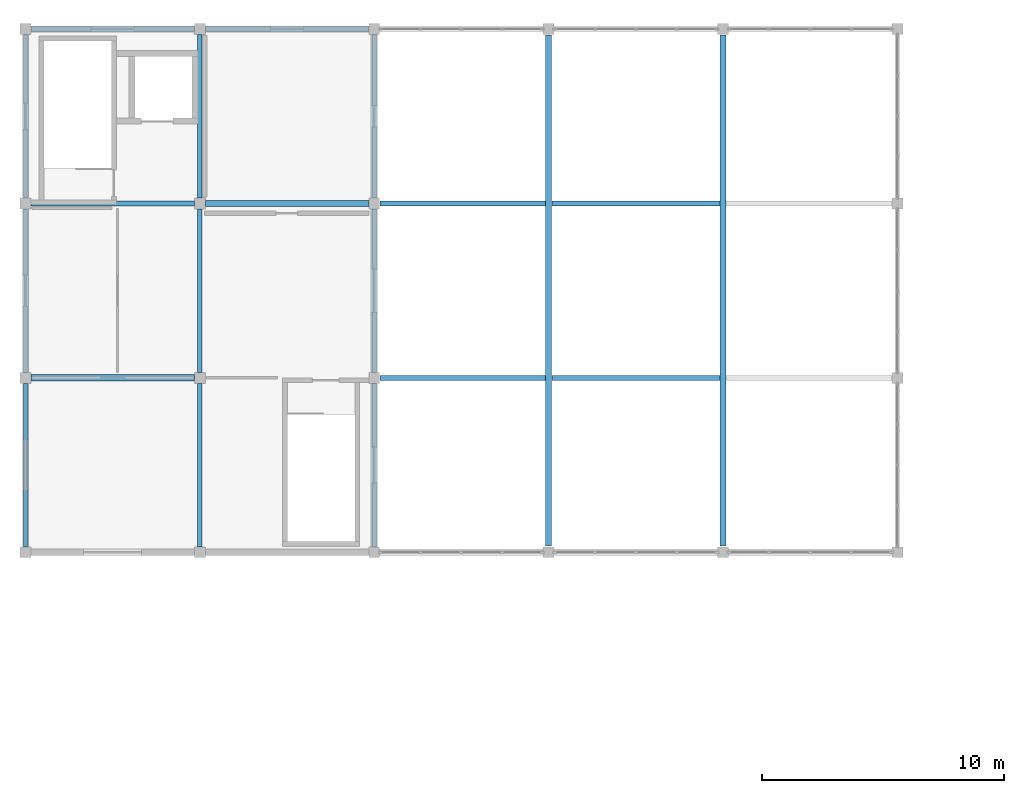
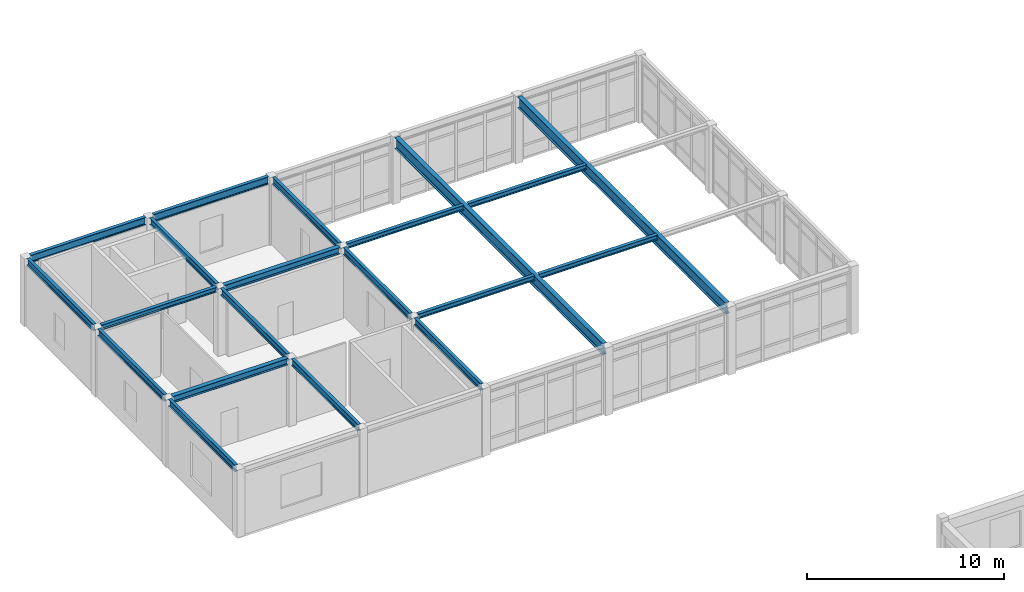
# One storey, part 44 of 136: 20 beams.
"""IFC4 building model written with IfcOpenShell, lengths in metres."""

from ifc_helpers import new_model, si_unit, direction, frame, origin, origin_2d, place, context, subcontext, project, spatial, i_section, extrude, material, material_profile, profile_set, type_object, element, save


model = new_model("IFC4")

# Units and contexts
model_context = context("Model", 3, precision=1e-05, world=origin(), true_north=direction((0.0, 1.0)))
body_context = subcontext(model_context, "Body", "Model", "MODEL_VIEW")
ifc_project = project(units=[si_unit("LENGTHUNIT", "METRE"), si_unit("AREAUNIT", "SQUARE_METRE"), si_unit("VOLUMEUNIT", "CUBIC_METRE"), si_unit("PLANEANGLEUNIT", "RADIAN"), si_unit("MASSUNIT", "GRAM", prefix="KILO")], contexts=[model_context])

# Site, building, storey
site_placement = place(None, origin())
site = spatial("IfcSite", under=ifc_project, at=site_placement, CompositionType="ELEMENT")
building_placement = place(site_placement, origin())
building = spatial("IfcBuilding", under=site, at=building_placement, Name="Koriwan Promenade Central Fire Station", CompositionType="ELEMENT")
storey_placement = place(building_placement, frame((0.0, 0.0, 5.39990234375)))
storey = spatial("IfcBuildingStorey", under=building, at=storey_placement, Name="L01", CompositionType="ELEMENT", Elevation=5.39990234375)

# Beams
ifc_material = material(Name="Steel ASTM A992 Grade 50", Category="steel")
ifc_material_profile_1 = material_profile(ifc_material, i_section(OverallWidth=0.205078125, OverallDepth=0.31005859375, WebThickness=0.009521484375, FlangeThickness=0.016357421875, FilletRadius=0.014892578125, at=origin_2d()), Name="W310x74")
ifc_profile_set_1 = profile_set([ifc_material_profile_1], Name="Steel ASTM A992 Grade 50")
beam_type_1 = type_object("IfcBeamType", Name="SteelBeam_W310x74", PredefinedType="BEAM", material=ifc_profile_set_1)
beam_placement = place(storey_placement, frame((0.22998046875, 108.0, 4.085205078125), z_axis=(1.0, 0.0, 0.0), x_axis=(0.0, 1.0, 0.0)))
element("IfcBeam", 1, at=beam_placement, inside=storey, type_object=beam_type_1, Name="V6 sawtooth valley beam 1-2", PredefinedType="BEAM", context=body_context, shape_type="SweptSolid", body=[
    extrude(i_section(OverallWidth=0.205078125, OverallDepth=0.31005859375, WebThickness=0.009521484375, FlangeThickness=0.016357421875, FilletRadius=0.014892578125, at=origin_2d()), origin(), (0.0, 0.0, 1.0), 6.739990234375),
])
for number, where, z_axis, x_axis, name in (
    (2, (14.6298828125, 100.800048828125, 4.085205078125), (1.0, 0.0, 0.0), (0.0, 1.0, 0.0), "V6 sawtooth valley beam 3-1"),
    (3, (14.6298828125, 108.0, 4.085205078125), (1.0, 0.0, 0.0), (0.0, 1.0, 0.0), "V6 sawtooth valley beam 3-2"),
):
    element("IfcBeam", number, at=place(storey_placement, frame(where, z_axis=z_axis, x_axis=x_axis)), inside=storey, type_object=beam_type_1, Name=name, PredefinedType="BEAM", context=body_context, shape_type="SweptSolid", body=[
        extrude(i_section(OverallWidth=0.205078125, OverallDepth=0.31005859375, WebThickness=0.009521484375, FlangeThickness=0.016357421875, FilletRadius=0.014892578125, at=origin_2d()), origin(), (0.0, 0.0, 1.0), 6.840087890625),
    ])
for number, where, z_axis, x_axis, name in (
    (4, (21.72998046875, 100.800048828125, 4.085205078125), (1.0, 0.0, 0.0), (0.0, 1.0, 0.0), "V6 sawtooth valley beam 4-1"),
    (5, (21.72998046875, 108.0, 4.085205078125), (1.0, 0.0, 0.0), (0.0, 1.0, 0.0), "V6 sawtooth valley beam 4-2"),
):
    element("IfcBeam", number, at=place(storey_placement, frame(where, z_axis=z_axis, x_axis=x_axis)), inside=storey, type_object=beam_type_1, Name=name, PredefinedType="BEAM", context=body_context, shape_type="SweptSolid", body=[
        extrude(i_section(OverallWidth=0.205078125, OverallDepth=0.31005859375, WebThickness=0.009521484375, FlangeThickness=0.016357421875, FilletRadius=0.014892578125, at=origin_2d()), origin(), (0.0, 0.0, 1.0), 6.93994140625),
    ])
ifc_material_profile_2 = material_profile(ifc_material, i_section(OverallWidth=0.260009765625, OverallDepth=0.4150390625, WebThickness=0.010009765625, FlangeThickness=0.016845703125, FilletRadius=0.01611328125, at=origin_2d()), Name="W410x100")
ifc_profile_set_2 = profile_set([ifc_material_profile_2], Name="Steel ASTM A992 Grade 50")
beam_type_2 = type_object("IfcBeamType", Name="SteelBeam_W410x100", PredefinedType="BEAM", material=ifc_profile_set_2)
for number, where, z_axis, x_axis, name in (
    (6, (0.22509765625, 100.800048828125, 3.99267578125), (1.0, 0.0, 0.0), (0.0, 1.0, 0.0), "V6 L01 girder X-1050"),
    (7, (7.425048828125, 108.0, 3.99267578125), (1.0, 0.0, 0.0), (0.0, 1.0, 0.0), "V6 L01 girder X-1051"),
):
    element("IfcBeam", number, at=place(storey_placement, frame(where, z_axis=z_axis, x_axis=x_axis)), inside=storey, type_object=beam_type_2, Name=name, PredefinedType="BEAM", context=body_context, shape_type="SweptSolid", body=[
        extrude(i_section(OverallWidth=0.260009765625, OverallDepth=0.4150390625, WebThickness=0.010009765625, FlangeThickness=0.016845703125, FilletRadius=0.01611328125, at=origin_2d()), origin(), (0.0, 0.0, 1.0), 6.75),
    ])
ifc_material_profile_3 = material_profile(ifc_material, i_section(OverallWidth=0.180908203125, OverallDepth=0.4169921875, WebThickness=0.010986328125, FlangeThickness=0.018310546875, FilletRadius=0.01611328125, at=origin_2d()), Name="W410x85")
ifc_profile_set_3 = profile_set([ifc_material_profile_3], Name="Steel ASTM A992 Grade 50")
beam_type_3 = type_object("IfcBeamType", Name="SteelBeam_W410x85", PredefinedType="BEAM", material=ifc_profile_set_3)
for number, where, z_axis, x_axis, name in (
    (8, (0.0, 93.824951171875, 3.99169921875), (0.0, 1.0, 0.0), (-1.0, 0.0, 0.0), "V6 L01 girder Y-1057"),
    (9, (0.0, 101.02490234375, 3.99169921875), (0.0, 1.0, 0.0), (-1.0, 0.0, 0.0), "V6 L01 girder Y-1058"),
    (10, (0.0, 108.22509765625, 3.99169921875), (0.0, 1.0, 0.0), (-1.0, 0.0, 0.0), "V6 L01 girder Y-1059"),
    (11, (7.199951171875, 93.824951171875, 3.99169921875), (0.0, 1.0, 0.0), (-1.0, 0.0, 0.0), "V6 L01 girder Y-1060"),
    (12, (7.199951171875, 101.02490234375, 3.99169921875), (0.0, 1.0, 0.0), (-1.0, 0.0, 0.0), "V6 L01 girder Y-1061"),
    (13, (7.199951171875, 108.22509765625, 3.99169921875), (0.0, 1.0, 0.0), (-1.0, 0.0, 0.0), "V6 L01 girder Y-1062"),
    (14, (14.39990234375, 93.824951171875, 3.99169921875), (0.0, 1.0, 0.0), (-1.0, 0.0, 0.0), "V6 L01 girder Y-1063"),
    (15, (14.39990234375, 101.02490234375, 3.99169921875), (0.0, 1.0, 0.0), (-1.0, 0.0, 0.0), "V6 L01 girder Y-1064"),
    (16, (14.39990234375, 108.22509765625, 3.99169921875), (0.0, 1.0, 0.0), (-1.0, 0.0, 0.0), "V6 L01 girder Y-1065"),
):
    element("IfcBeam", number, at=place(storey_placement, frame(where, z_axis=z_axis, x_axis=x_axis)), inside=storey, type_object=beam_type_3, Name=name, PredefinedType="BEAM", context=body_context, shape_type="SweptSolid", body=[
        extrude(i_section(OverallWidth=0.180908203125, OverallDepth=0.4169921875, WebThickness=0.010986328125, FlangeThickness=0.018310546875, FilletRadius=0.01611328125, at=origin_2d()), origin(), (0.0, 0.0, 1.0), 6.75),
    ])
ifc_material_profile_4 = material_profile(ifc_material, i_section(OverallWidth=0.194091796875, OverallDepth=0.468994140625, WebThickness=0.0126953125, FlangeThickness=0.0205078125, FilletRadius=0.01806640625, at=origin_2d()), Name="W460x106")
ifc_profile_set_4 = profile_set([ifc_material_profile_4], Name="Steel ASTM A992 Grade 50")
beam_type_4 = type_object("IfcBeamType", Name="SteelBeam_W460x106", PredefinedType="BEAM", material=ifc_profile_set_4)
for number, where, z_axis, x_axis, name in (
    (17, (0.22509765625, 115.199951171875, 3.965576171875), (1.0, 0.0, 0.0), (0.0, 1.0, 0.0), "V6 L01 girder X-1052"),
    (18, (7.425048828125, 115.199951171875, 3.965576171875), (1.0, 0.0, 0.0), (0.0, 1.0, 0.0), "V6 L01 girder X-1053"),
):
    element("IfcBeam", number, at=place(storey_placement, frame(where, z_axis=z_axis, x_axis=x_axis)), inside=storey, type_object=beam_type_4, Name=name, PredefinedType="BEAM", context=body_context, shape_type="SweptSolid", body=[
        extrude(i_section(OverallWidth=0.194091796875, OverallDepth=0.468994140625, WebThickness=0.0126953125, FlangeThickness=0.0205078125, FilletRadius=0.01806640625, at=origin_2d()), origin(), (0.0, 0.0, 1.0), 6.75),
    ])
ifc_material_profile_5 = material_profile(ifc_material, i_section(OverallWidth=0.256103515625, OverallDepth=0.693115234375, WebThickness=0.014404296875, FlangeThickness=0.023681640625, FilletRadius=0.02197265625, at=origin_2d()), Name="W690x170")
ifc_profile_set_5 = profile_set([ifc_material_profile_5], Name="Steel ASTM A992 Grade 50")
beam_type_5 = type_object("IfcBeamType", Name="SteelBeam_W690x170", PredefinedType="BEAM", material=ifc_profile_set_5)
for number, where, z_axis, x_axis, name in (
    (19, (21.60009765625, 93.85009765625, 3.820068359375), (0.0, 1.0, 0.0), (-1.0, 0.0, 0.0), "V6 sawtooth main girder 3"),
    (20, (28.800048828125, 93.85009765625, 3.820068359375), (0.0, 1.0, 0.0), (-1.0, 0.0, 0.0), "V6 sawtooth main girder 4"),
):
    element("IfcBeam", number, at=place(storey_placement, frame(where, z_axis=z_axis, x_axis=x_axis)), inside=storey, type_object=beam_type_5, Name=name, PredefinedType="BEAM", context=body_context, shape_type="SweptSolid", body=[
        extrude(i_section(OverallWidth=0.256103515625, OverallDepth=0.693115234375, WebThickness=0.014404296875, FlangeThickness=0.023681640625, FilletRadius=0.02197265625, at=origin_2d()), origin(), (0.0, 0.0, 1.0), 21.099853515625),
    ])

save(model, "model.ifc")
